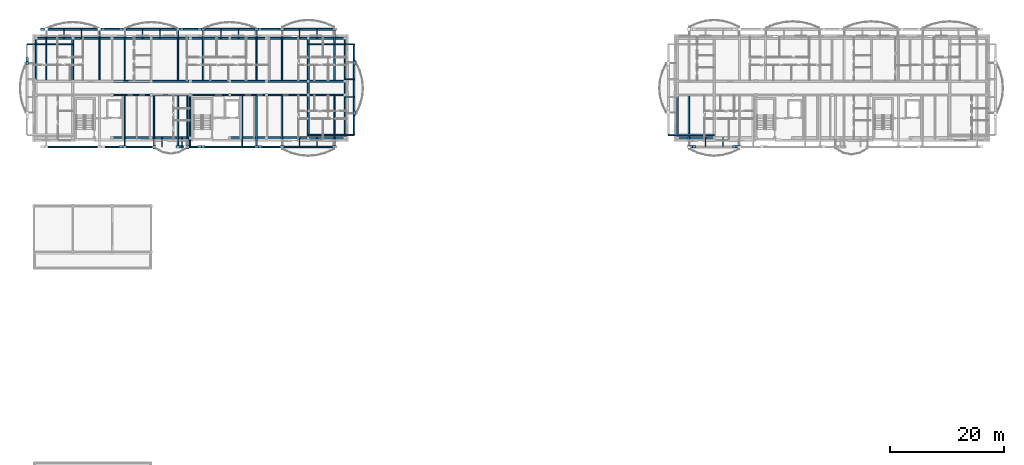
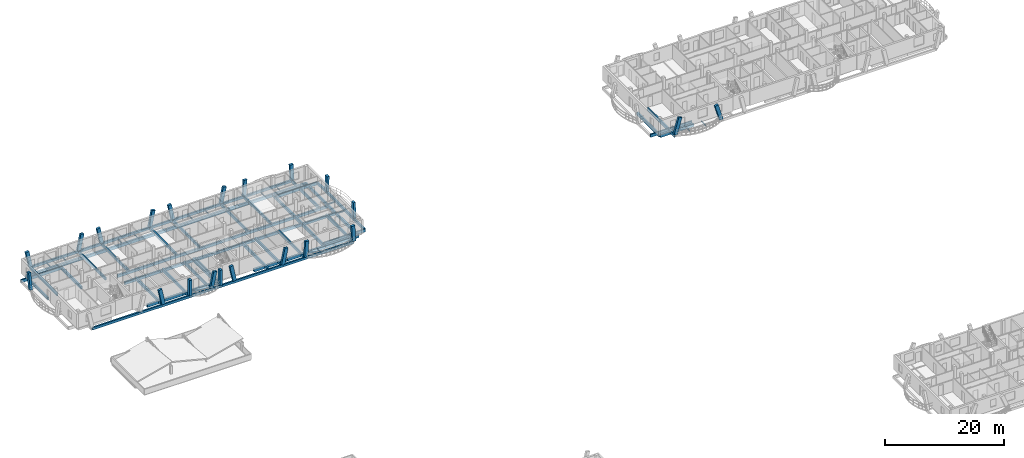
# One storey, part 6 of 50: 76 beams, 21 members.
"""IFC4 building model written with IfcOpenShell, lengths in metres."""

import ifcopenshell
import ifcopenshell.guid

model = None  # the IFC model being written
_history = None  # IfcOwnerHistory: only IFC2X3 demands one
_inside = {}  # id of a spatial element -> (the spatial element, [elements in it])
_under = {}  # id of a project, library or spatial element -> (it, [spatial elements below it])
_declared = {}  # id of a project -> (the project, [libraries it declares])
_typed = {}  # id of a type object -> (the type object, [elements of that type])
_made_of = {}  # id of a material, layer set ... -> (it, [elements and type objects made of it])


def new_model(schema):
    """Start an empty IFC model of exactly this schema.

    Asked for "IFC4X3", IfcOpenShell would pick the latest addendum, in which some entities
    have other attributes; the version numbers below select the first issue.
    IFC2X3 requires an IfcOwnerHistory on every rooted entity: one is made here for all.
    """
    global model, _history
    if schema == "IFC4X3":
        model = ifcopenshell.file(schema_version=(4, 3, 0, 0))
    else:
        model = ifcopenshell.file(schema=schema)
    _inside.clear()
    _under.clear()
    _declared.clear()
    _typed.clear()
    _made_of.clear()
    _history = None
    if model.schema == "IFC2X3":
        org = make("IfcOrganization", Name="unknown")
        user = make(
            "IfcPersonAndOrganization",
            ThePerson=make("IfcPerson", FamilyName="unknown"),
            TheOrganization=org,
        )
        app = make(
            "IfcApplication",
            ApplicationDeveloper=org,
            Version="unknown",
            ApplicationFullName="unknown",
            ApplicationIdentifier="unknown",
        )
        _history = make(
            "IfcOwnerHistory",
            OwningUser=user,
            OwningApplication=app,
            ChangeAction="ADDED",
            CreationDate=0,
        )
    return model


def make(cls, **values):
    """One entity of the class cls with the attributes given. An attribute that is None is left unset."""
    return model.create_entity(
        cls, **{name: value for name, value in values.items() if value is not None}
    )


def rooted(cls, **values):
    """An entity with a GlobalId (a new one), such as an element, a storey or a relation."""
    return make(cls, GlobalId=ifcopenshell.guid.new(), OwnerHistory=_history, **values)


def si_unit(unit_type, name, prefix=None):
    """IfcSIUnit, for example si_unit("LENGTHUNIT", "METRE", prefix="MILLI")."""
    return make("IfcSIUnit", UnitType=unit_type, Prefix=prefix, Name=name)


def assignment(units):
    """IfcUnitAssignment: the units of a project."""
    return None if units is None else make("IfcUnitAssignment", Units=units)


def point(xyz):
    """IfcCartesianPoint."""
    return None if xyz is None else make("IfcCartesianPoint", Coordinates=xyz)


def direction(xyz):
    """IfcDirection."""
    return None if xyz is None else make("IfcDirection", DirectionRatios=xyz)


def frame(location, z_axis=None, x_axis=None):
    """IfcAxis2Placement3D, a coordinate frame: its origin and axes. An axis left out is left unset."""
    return make(
        "IfcAxis2Placement3D",
        Location=point(location),
        Axis=direction(z_axis),
        RefDirection=direction(x_axis),
    )


def frame_2d(location, x_axis=None):
    """IfcAxis2Placement2D, a coordinate frame in the plane: its origin and x axis."""
    return make(
        "IfcAxis2Placement2D", Location=point(location), RefDirection=direction(x_axis)
    )


def origin():
    """The frame at (0, 0, 0) with its axes left unset."""
    return frame((0.0, 0.0, 0.0))


def origin_2d():
    """The frame at (0, 0) in the plane with its x axis left unset."""
    return frame_2d((0.0, 0.0))


def place(relative_to, where):
    """IfcLocalPlacement: puts the frame where relative to a parent placement (None: the world)."""
    return make(
        "IfcLocalPlacement", PlacementRelTo=relative_to, RelativePlacement=where
    )


def context(
    kind, dimensions, precision=None, world=None, true_north=None, identifier=None
):
    """IfcGeometricRepresentationContext, for example the 3D "Model" context."""
    return make(
        "IfcGeometricRepresentationContext",
        ContextIdentifier=identifier,
        ContextType=kind,
        CoordinateSpaceDimension=dimensions,
        Precision=precision,
        WorldCoordinateSystem=world,
        TrueNorth=true_north,
    )


def subcontext(parent, identifier, kind, view, scale=None):
    """IfcGeometricRepresentationSubContext, for example "Body" below "Model"."""
    return make(
        "IfcGeometricRepresentationSubContext",
        ContextIdentifier=identifier,
        ContextType=kind,
        ParentContext=parent,
        TargetScale=scale,
        TargetView=view,
    )


def project(units=None, contexts=None):
    """IfcProject with its units and contexts."""
    return rooted(
        "IfcProject",
        Name="project",
        RepresentationContexts=contexts,
        UnitsInContext=assignment(units),
    )


def spatial(cls, under=None, at=None, **own):
    """A site, building, storey or space (cls), placed at a placement, below another one or the project."""
    s = rooted(cls, ObjectPlacement=at, **own)
    if under is not None:
        _under.setdefault(under.id(), (under, []))[1].append(s)
    return s


def profile(cls, at=None, kind="AREA", **sizes):
    """A parametric profile (cls). Its sizes go by their IFC names, for example OverallWidth=200.0."""
    return make(cls, ProfileType=kind, Position=at, **sizes)


def rectangle(**sizes):
    """IfcRectangleProfileDef."""
    return profile("IfcRectangleProfileDef", **sizes)


def i_section(**sizes):
    """IfcIShapeProfileDef."""
    return profile("IfcIShapeProfileDef", **sizes)


def extrude(swept, where, along, depth):
    """IfcExtrudedAreaSolid: the profile swept, set in the frame where, extruded along a direction by depth."""
    return make(
        "IfcExtrudedAreaSolid",
        SweptArea=swept,
        Position=where,
        ExtrudedDirection=direction(along),
        Depth=depth,
    )


def shape(context_of_items, identifier, shape_type, items):
    """IfcShapeRepresentation: the items that make up one representation, for example the "Body"."""
    return make(
        "IfcShapeRepresentation",
        ContextOfItems=context_of_items,
        RepresentationIdentifier=identifier,
        RepresentationType=shape_type,
        Items=items,
    )


def material(Name=None, Category=None):
    """IfcMaterial."""
    return make("IfcMaterial", Name=Name, Category=Category)


def material_profile(
    of_material, cross_section, Name=None, Category=None, Priority=None
):
    """IfcMaterialProfile: a cross section and its material."""
    return make(
        "IfcMaterialProfile",
        Name=Name,
        Material=of_material,
        Profile=cross_section,
        Priority=Priority,
        Category=Category,
    )


def profile_set(profiles, Name=None, composite=None):
    """IfcMaterialProfileSet."""
    return make(
        "IfcMaterialProfileSet",
        Name=Name,
        MaterialProfiles=profiles,
        CompositeProfile=composite,
    )


def made_of(thing, what):
    """Note that an element or type object is made of a material, layer set ...; save() writes the relation."""
    if what is not None:
        _made_of.setdefault(what.id(), (what, []))[1].append(thing)
    return thing


def type_object(cls, material=None, **own):
    """A type object (cls), such as IfcWallType, which elements share."""
    return made_of(rooted(cls, **own), material)


def element(
    cls,
    number,
    at=None,
    inside=None,
    cuts=None,
    type_object=None,
    material=None,
    context=None,
    identifier="Body",
    shape_type=None,
    held_by="IfcProductDefinitionShape",
    body=None,
    shapes=None,
    **own,
):
    """One element of the class cls, such as IfcWall. Its Tag is "e" and its number.

    at: its placement. inside: the storey or other place that contains it. cuts: it is an
    opening in that element (IfcRelVoidsElement). A single representation is given by context,
    identifier, shape_type and body (its items); several are given by shapes. held_by: the class
    of the entity that holds the representations. save() writes the other relations.
    """
    e = rooted(cls, Tag="e%d" % number, ObjectPlacement=at, **own)
    if body is not None:
        shapes = [shape(context, identifier, shape_type, body)]
    if shapes is not None:
        e.Representation = make(held_by, Representations=shapes)
    if inside is not None:
        _inside.setdefault(inside.id(), (inside, []))[1].append(e)
    if cuts is not None:
        rooted(
            "IfcRelVoidsElement", RelatingBuildingElement=cuts, RelatedOpeningElement=e
        )
    if type_object is not None:
        _typed.setdefault(type_object.id(), (type_object, []))[1].append(e)
    return made_of(e, material)


def aggregate(whole, parts):
    """IfcRelAggregates: a whole, such as a stair, and the parts it consists of."""
    return rooted("IfcRelAggregates", RelatingObject=whole, RelatedObjects=parts)


def save(model, path):
    """Write the relations noted so far, then the file.

    IfcRelAggregates (storeys below a building ...), IfcRelContainedInSpatialStructure (elements
    in a storey), IfcRelDefinesByType, IfcRelAssociatesMaterial and IfcRelDeclares: one each for
    every whole, place, type object, material and project.
    """
    for whole, parts in _under.values():
        aggregate(whole, parts)
    for where, things in _inside.values():
        rooted(
            "IfcRelContainedInSpatialStructure",
            RelatedElements=things,
            RelatingStructure=where,
        )
    for kind, things in _typed.values():
        rooted("IfcRelDefinesByType", RelatedObjects=things, RelatingType=kind)
    for what, things in _made_of.values():
        rooted("IfcRelAssociatesMaterial", RelatedObjects=things, RelatingMaterial=what)
    for by, libraries in _declared.values():
        rooted("IfcRelDeclares", RelatingContext=by, RelatedDefinitions=libraries)
    model.write(path)


model = new_model("IFC4")

# Units and contexts
model_context = context("Model", 3, precision=1e-05, world=origin(), true_north=direction((0.0, 1.0)))
body_context = subcontext(model_context, "Body", "Model", "MODEL_VIEW")
ifc_project = project(units=[si_unit("LENGTHUNIT", "METRE"), si_unit("AREAUNIT", "SQUARE_METRE"), si_unit("VOLUMEUNIT", "CUBIC_METRE"), si_unit("PLANEANGLEUNIT", "RADIAN"), si_unit("MASSUNIT", "GRAM", prefix="KILO")], contexts=[model_context])

# Site, building, storey
site_placement = place(None, origin())
site = spatial("IfcSite", under=ifc_project, at=site_placement, CompositionType="ELEMENT")
building_placement = place(site_placement, origin())
building = spatial("IfcBuilding", under=site, at=building_placement, Name="Zavelmont Quarter", CompositionType="ELEMENT")
storey_placement = place(building_placement, frame((0.0, 0.0, 11.199951171875)))
storey = spatial("IfcBuildingStorey", under=building, at=storey_placement, Name="L03", CompositionType="ELEMENT", Elevation=11.199951171875)

# Beams
ifc_material_1 = material(Name="Concrete C35/45", Category="concrete")
ifc_material_profile_1 = material_profile(ifc_material_1, rectangle(XDim=0.35009765625, YDim=0.60009765625, at=origin_2d()), Name="RC350X600")
ifc_profile_set_1 = profile_set([ifc_material_profile_1], Name="Concrete C35/45")
beam_type_1 = type_object("IfcBeamType", Name="BM01", PredefinedType="SPANDREL", material=ifc_profile_set_1)
beam_1_placement = place(storey_placement, frame((13.800048828125, 98.0400390625, -0.56005859375), z_axis=(1.0, 0.0, 0.0), x_axis=(0.0, 1.0, 0.0)))
element("IfcBeam", 1, at=beam_1_placement, inside=storey, type_object=beam_type_1, Name="L03 beam BM01 3/P to 4/P", PredefinedType="SPANDREL", context=body_context, shape_type="SweptSolid", body=[
    extrude(rectangle(XDim=0.35009765625, YDim=0.60009765625, at=origin_2d()), origin(), (0.0, 0.0, 1.0), 6.89990234375),
])
beam_2_placement = place(storey_placement, frame((20.699951171875, 98.0400390625, -0.56005859375), z_axis=(1.0, 0.0, 0.0), x_axis=(0.0, 1.0, 0.0)))
element("IfcBeam", 2, at=beam_2_placement, inside=storey, type_object=beam_type_1, Name="L03 beam BM01 4/P to 5/P", PredefinedType="SPANDREL", context=body_context, shape_type="SweptSolid", body=[
    extrude(rectangle(XDim=0.35009765625, YDim=0.60009765625, at=origin_2d()), origin(), (0.0, 0.0, 1.0), 6.900146484375),
])
beam_3_placement = place(storey_placement, frame((34.5, 98.0400390625, -0.56005859375), z_axis=(1.0, 0.0, 0.0), x_axis=(0.0, 1.0, 0.0)))
element("IfcBeam", 3, at=beam_3_placement, inside=storey, type_object=beam_type_1, Name="L03 beam BM01 6/P to 7/P", PredefinedType="SPANDREL", context=body_context, shape_type="SweptSolid", body=[
    extrude(rectangle(XDim=0.35009765625, YDim=0.60009765625, at=origin_2d()), origin(), (0.0, 0.0, 1.0), 6.4599609375),
])
beam_4_placement = place(storey_placement, frame((40.9599609375, 98.0400390625, -0.56005859375), z_axis=(1.0, 0.0, 0.0), x_axis=(0.0, 1.0, 0.0)))
element("IfcBeam", 4, at=beam_4_placement, inside=storey, type_object=beam_type_1, Name="L03 beam BM01 7/P to 8/P", PredefinedType="SPANDREL", context=body_context, shape_type="SweptSolid", body=[
    extrude(rectangle(XDim=0.35009765625, YDim=0.60009765625, at=origin_2d()), origin(), (0.0, 0.0, 1.0), 7.340087890625),
])
for number, where, z_axis, x_axis, name in (
    (5, (48.300048828125, 98.0400390625, -0.56005859375), (1.0, 0.0, 0.0), (0.0, 1.0, 0.0), "L03 beam BM01 8/P to 9/P"),
    (6, (0.43994140625, 115.56005859375, -0.56005859375), (1.0, 0.0, 0.0), (0.0, 1.0, 0.0), "L03 beam BM01 1/S to 2/S"),
):
    element("IfcBeam", number, at=place(storey_placement, frame(where, z_axis=z_axis, x_axis=x_axis)), inside=storey, type_object=beam_type_1, Name=name, PredefinedType="SPANDREL", context=body_context, shape_type="SweptSolid", body=[
        extrude(rectangle(XDim=0.35009765625, YDim=0.60009765625, at=origin_2d()), origin(), (0.0, 0.0, 1.0), 6.4599609375),
    ])
beam_5_placement = place(storey_placement, frame((6.89990234375, 115.56005859375, -0.56005859375), z_axis=(1.0, 0.0, 0.0), x_axis=(0.0, 1.0, 0.0)))
element("IfcBeam", 7, at=beam_5_placement, inside=storey, type_object=beam_type_1, Name="L03 beam BM01 2/S to 3/S", PredefinedType="SPANDREL", context=body_context, shape_type="SweptSolid", body=[
    extrude(rectangle(XDim=0.35009765625, YDim=0.60009765625, at=origin_2d()), origin(), (0.0, 0.0, 1.0), 6.900146484375),
])
beam_6_placement = place(storey_placement, frame((13.800048828125, 115.56005859375, -0.56005859375), z_axis=(1.0, 0.0, 0.0), x_axis=(0.0, 1.0, 0.0)))
element("IfcBeam", 8, at=beam_6_placement, inside=storey, type_object=beam_type_1, Name="L03 beam BM01 3/S to 4/S", PredefinedType="SPANDREL", context=body_context, shape_type="SweptSolid", body=[
    extrude(rectangle(XDim=0.35009765625, YDim=0.60009765625, at=origin_2d()), origin(), (0.0, 0.0, 1.0), 6.89990234375),
])
beam_7_placement = place(storey_placement, frame((20.699951171875, 115.56005859375, -0.56005859375), z_axis=(1.0, 0.0, 0.0), x_axis=(0.0, 1.0, 0.0)))
element("IfcBeam", 9, at=beam_7_placement, inside=storey, type_object=beam_type_1, Name="L03 beam BM01 4/S to 5/S", PredefinedType="SPANDREL", context=body_context, shape_type="SweptSolid", body=[
    extrude(rectangle(XDim=0.35009765625, YDim=0.60009765625, at=origin_2d()), origin(), (0.0, 0.0, 1.0), 6.900146484375),
])
beam_8_placement = place(storey_placement, frame((27.60009765625, 115.56005859375, -0.56005859375), z_axis=(1.0, 0.0, 0.0), x_axis=(0.0, 1.0, 0.0)))
element("IfcBeam", 10, at=beam_8_placement, inside=storey, type_object=beam_type_1, Name="L03 beam BM01 5/S to 6/S", PredefinedType="SPANDREL", context=body_context, shape_type="SweptSolid", body=[
    extrude(rectangle(XDim=0.35009765625, YDim=0.60009765625, at=origin_2d()), origin(), (0.0, 0.0, 1.0), 6.89990234375),
])
beam_9_placement = place(storey_placement, frame((34.5, 115.56005859375, -0.56005859375), z_axis=(1.0, 0.0, 0.0), x_axis=(0.0, 1.0, 0.0)))
element("IfcBeam", 11, at=beam_9_placement, inside=storey, type_object=beam_type_1, Name="L03 beam BM01 6/S to 7/S", PredefinedType="SPANDREL", context=body_context, shape_type="SweptSolid", body=[
    extrude(rectangle(XDim=0.35009765625, YDim=0.60009765625, at=origin_2d()), origin(), (0.0, 0.0, 1.0), 6.4599609375),
])
beam_10_placement = place(storey_placement, frame((40.9599609375, 115.56005859375, -0.56005859375), z_axis=(1.0, 0.0, 0.0), x_axis=(0.0, 1.0, 0.0)))
element("IfcBeam", 12, at=beam_10_placement, inside=storey, type_object=beam_type_1, Name="L03 beam BM01 7/S to 8/S", PredefinedType="SPANDREL", context=body_context, shape_type="SweptSolid", body=[
    extrude(rectangle(XDim=0.35009765625, YDim=0.60009765625, at=origin_2d()), origin(), (0.0, 0.0, 1.0), 7.340087890625),
])
for number, where, z_axis, x_axis, name in (
    (13, (48.300048828125, 115.56005859375, -0.56005859375), (1.0, 0.0, 0.0), (0.0, 1.0, 0.0), "L03 beam BM01 8/S to 9/S"),
    (14, (113.239990234375, 98.0400390625, -0.56005859375), (1.0, 0.0, 0.0), (0.0, 1.0, 0.0), "L03 beam BM01 17/P to 18/P"),
):
    element("IfcBeam", number, at=place(storey_placement, frame(where, z_axis=z_axis, x_axis=x_axis)), inside=storey, type_object=beam_type_1, Name=name, PredefinedType="SPANDREL", context=body_context, shape_type="SweptSolid", body=[
        extrude(rectangle(XDim=0.35009765625, YDim=0.60009765625, at=origin_2d()), origin(), (0.0, 0.0, 1.0), 6.4599609375),
    ])
ifc_material_profile_2 = material_profile(ifc_material_1, rectangle(XDim=0.300048828125, YDim=0.550048828125, at=origin_2d()), Name="RC300X550")
ifc_profile_set_2 = profile_set([ifc_material_profile_2], Name="Concrete C35/45")
beam_type_2 = type_object("IfcBeamType", Name="BM02", PredefinedType="SPANDREL", material=ifc_profile_set_2)
beam_11_placement = place(storey_placement, frame((13.800048828125, 105.60009765625, -0.534912109375), z_axis=(1.0, 0.0, 0.0), x_axis=(0.0, 1.0, 0.0)))
element("IfcBeam", 15, at=beam_11_placement, inside=storey, type_object=beam_type_2, Name="L03 beam BM02 3/Q to 4/Q", PredefinedType="SPANDREL", context=body_context, shape_type="SweptSolid", body=[
    extrude(rectangle(XDim=0.300048828125, YDim=0.550048828125, at=origin_2d()), origin(), (0.0, 0.0, 1.0), 6.89990234375),
])
beam_12_placement = place(storey_placement, frame((20.699951171875, 105.60009765625, -0.534912109375), z_axis=(1.0, 0.0, 0.0), x_axis=(0.0, 1.0, 0.0)))
element("IfcBeam", 16, at=beam_12_placement, inside=storey, type_object=beam_type_2, Name="L03 beam BM02 4/Q to 5/Q", PredefinedType="SPANDREL", context=body_context, shape_type="SweptSolid", body=[
    extrude(rectangle(XDim=0.300048828125, YDim=0.550048828125, at=origin_2d()), origin(), (0.0, 0.0, 1.0), 6.900146484375),
])
beam_13_placement = place(storey_placement, frame((27.60009765625, 105.60009765625, -0.534912109375), z_axis=(1.0, 0.0, 0.0), x_axis=(0.0, 1.0, 0.0)))
element("IfcBeam", 17, at=beam_13_placement, inside=storey, type_object=beam_type_2, Name="L03 beam BM02 5/Q to 6/Q", PredefinedType="SPANDREL", context=body_context, shape_type="SweptSolid", body=[
    extrude(rectangle(XDim=0.300048828125, YDim=0.550048828125, at=origin_2d()), origin(), (0.0, 0.0, 1.0), 6.89990234375),
])
beam_14_placement = place(storey_placement, frame((34.5, 105.60009765625, -0.534912109375), z_axis=(1.0, 0.0, 0.0), x_axis=(0.0, 1.0, 0.0)))
element("IfcBeam", 18, at=beam_14_placement, inside=storey, type_object=beam_type_2, Name="L03 beam BM02 6/Q to 7/Q", PredefinedType="SPANDREL", context=body_context, shape_type="SweptSolid", body=[
    extrude(rectangle(XDim=0.300048828125, YDim=0.550048828125, at=origin_2d()), origin(), (0.0, 0.0, 1.0), 6.4599609375),
])
beam_15_placement = place(storey_placement, frame((40.9599609375, 105.60009765625, -0.534912109375), z_axis=(1.0, 0.0, 0.0), x_axis=(0.0, 1.0, 0.0)))
element("IfcBeam", 19, at=beam_15_placement, inside=storey, type_object=beam_type_2, Name="L03 beam BM02 7/Q to 8/Q", PredefinedType="SPANDREL", context=body_context, shape_type="SweptSolid", body=[
    extrude(rectangle(XDim=0.300048828125, YDim=0.550048828125, at=origin_2d()), origin(), (0.0, 0.0, 1.0), 7.340087890625),
])
beam_16_placement = place(storey_placement, frame((48.300048828125, 105.60009765625, -0.534912109375), z_axis=(1.0, 0.0, 0.0), x_axis=(0.0, 1.0, 0.0)))
element("IfcBeam", 20, at=beam_16_placement, inside=storey, type_object=beam_type_2, Name="L03 beam BM02 8/Q to 9/Q", PredefinedType="SPANDREL", context=body_context, shape_type="SweptSolid", body=[
    extrude(rectangle(XDim=0.300048828125, YDim=0.550048828125, at=origin_2d()), origin(), (0.0, 0.0, 1.0), 6.4599609375),
])
beam_17_placement = place(storey_placement, frame((13.800048828125, 108.0, -0.534912109375), z_axis=(1.0, 0.0, 0.0), x_axis=(0.0, 1.0, 0.0)))
element("IfcBeam", 21, at=beam_17_placement, inside=storey, type_object=beam_type_2, Name="L03 beam BM02 3/R to 4/R", PredefinedType="SPANDREL", context=body_context, shape_type="SweptSolid", body=[
    extrude(rectangle(XDim=0.300048828125, YDim=0.550048828125, at=origin_2d()), origin(), (0.0, 0.0, 1.0), 6.89990234375),
])
beam_18_placement = place(storey_placement, frame((20.699951171875, 108.0, -0.534912109375), z_axis=(1.0, 0.0, 0.0), x_axis=(0.0, 1.0, 0.0)))
element("IfcBeam", 22, at=beam_18_placement, inside=storey, type_object=beam_type_2, Name="L03 beam BM02 4/R to 5/R", PredefinedType="SPANDREL", context=body_context, shape_type="SweptSolid", body=[
    extrude(rectangle(XDim=0.300048828125, YDim=0.550048828125, at=origin_2d()), origin(), (0.0, 0.0, 1.0), 6.900146484375),
])
beam_19_placement = place(storey_placement, frame((27.60009765625, 108.0, -0.534912109375), z_axis=(1.0, 0.0, 0.0), x_axis=(0.0, 1.0, 0.0)))
element("IfcBeam", 23, at=beam_19_placement, inside=storey, type_object=beam_type_2, Name="L03 beam BM02 5/R to 6/R", PredefinedType="SPANDREL", context=body_context, shape_type="SweptSolid", body=[
    extrude(rectangle(XDim=0.300048828125, YDim=0.550048828125, at=origin_2d()), origin(), (0.0, 0.0, 1.0), 6.89990234375),
])
beam_20_placement = place(storey_placement, frame((34.5, 108.0, -0.534912109375), z_axis=(1.0, 0.0, 0.0), x_axis=(0.0, 1.0, 0.0)))
element("IfcBeam", 24, at=beam_20_placement, inside=storey, type_object=beam_type_2, Name="L03 beam BM02 6/R to 7/R", PredefinedType="SPANDREL", context=body_context, shape_type="SweptSolid", body=[
    extrude(rectangle(XDim=0.300048828125, YDim=0.550048828125, at=origin_2d()), origin(), (0.0, 0.0, 1.0), 6.4599609375),
])
beam_21_placement = place(storey_placement, frame((40.9599609375, 108.0, -0.534912109375), z_axis=(1.0, 0.0, 0.0), x_axis=(0.0, 1.0, 0.0)))
element("IfcBeam", 25, at=beam_21_placement, inside=storey, type_object=beam_type_2, Name="L03 beam BM02 7/R to 8/R", PredefinedType="SPANDREL", context=body_context, shape_type="SweptSolid", body=[
    extrude(rectangle(XDim=0.300048828125, YDim=0.550048828125, at=origin_2d()), origin(), (0.0, 0.0, 1.0), 7.340087890625),
])
beam_22_placement = place(storey_placement, frame((48.300048828125, 108.0, -0.534912109375), z_axis=(1.0, 0.0, 0.0), x_axis=(0.0, 1.0, 0.0)))
element("IfcBeam", 26, at=beam_22_placement, inside=storey, type_object=beam_type_2, Name="L03 beam BM02 8/R to 9/R", PredefinedType="SPANDREL", context=body_context, shape_type="SweptSolid", body=[
    extrude(rectangle(XDim=0.300048828125, YDim=0.550048828125, at=origin_2d()), origin(), (0.0, 0.0, 1.0), 6.4599609375),
])
for number, where, z_axis, x_axis, name in (
    (27, (0.43994140625, 108.0, -0.534912109375), (0.0, 1.0, 0.0), (-1.0, 0.0, 0.0), "L03 beam BM02 1/R to 1/S"),
    (28, (6.89990234375, 108.0, -0.534912109375), (0.0, 1.0, 0.0), (-1.0, 0.0, 0.0), "L03 beam BM02 2/R to 2/S"),
    (29, (48.300048828125, 98.0400390625, -0.534912109375), (0.0, 1.0, 0.0), (-1.0, 0.0, 0.0), "L03 beam BM02 8/P to 8/Q"),
):
    element("IfcBeam", number, at=place(storey_placement, frame(where, z_axis=z_axis, x_axis=x_axis)), inside=storey, type_object=beam_type_2, Name=name, PredefinedType="SPANDREL", context=body_context, shape_type="SweptSolid", body=[
        extrude(rectangle(XDim=0.300048828125, YDim=0.550048828125, at=origin_2d()), origin(), (0.0, 0.0, 1.0), 7.56005859375),
    ])
beam_23_placement = place(storey_placement, frame((48.300048828125, 105.60009765625, -0.534912109375), z_axis=(0.0, 1.0, 0.0), x_axis=(-1.0, 0.0, 0.0)))
element("IfcBeam", 30, at=beam_23_placement, inside=storey, type_object=beam_type_2, Name="L03 beam BM02 8/Q to 8/R", PredefinedType="SPANDREL", context=body_context, shape_type="SweptSolid", body=[
    extrude(rectangle(XDim=0.300048828125, YDim=0.550048828125, at=origin_2d()), origin(), (0.0, 0.0, 1.0), 2.39990234375),
])
for number, where, z_axis, x_axis, name in (
    (31, (48.300048828125, 108.0, -0.534912109375), (0.0, 1.0, 0.0), (-1.0, 0.0, 0.0), "L03 beam BM02 8/R to 8/S"),
    (32, (54.760009765625, 98.0400390625, -0.534912109375), (0.0, 1.0, 0.0), (-1.0, 0.0, 0.0), "L03 beam BM02 9/P to 9/Q"),
):
    element("IfcBeam", number, at=place(storey_placement, frame(where, z_axis=z_axis, x_axis=x_axis)), inside=storey, type_object=beam_type_2, Name=name, PredefinedType="SPANDREL", context=body_context, shape_type="SweptSolid", body=[
        extrude(rectangle(XDim=0.300048828125, YDim=0.550048828125, at=origin_2d()), origin(), (0.0, 0.0, 1.0), 7.56005859375),
    ])
beam_24_placement = place(storey_placement, frame((54.760009765625, 105.60009765625, -0.534912109375), z_axis=(0.0, 1.0, 0.0), x_axis=(-1.0, 0.0, 0.0)))
element("IfcBeam", 33, at=beam_24_placement, inside=storey, type_object=beam_type_2, Name="L03 beam BM02 9/Q to 9/R", PredefinedType="SPANDREL", context=body_context, shape_type="SweptSolid", body=[
    extrude(rectangle(XDim=0.300048828125, YDim=0.550048828125, at=origin_2d()), origin(), (0.0, 0.0, 1.0), 2.39990234375),
])
for number, where, z_axis, x_axis, name in (
    (34, (54.760009765625, 108.0, -0.534912109375), (0.0, 1.0, 0.0), (-1.0, 0.0, 0.0), "L03 beam BM02 9/R to 9/S"),
    (35, (113.239990234375, 98.0400390625, -0.534912109375), (0.0, 1.0, 0.0), (-1.0, 0.0, 0.0), "L03 beam BM02 17/P to 17/Q"),
):
    element("IfcBeam", number, at=place(storey_placement, frame(where, z_axis=z_axis, x_axis=x_axis)), inside=storey, type_object=beam_type_2, Name=name, PredefinedType="SPANDREL", context=body_context, shape_type="SweptSolid", body=[
        extrude(rectangle(XDim=0.300048828125, YDim=0.550048828125, at=origin_2d()), origin(), (0.0, 0.0, 1.0), 7.56005859375),
    ])
ifc_material_profile_3 = material_profile(ifc_material_1, rectangle(XDim=0.300048828125, YDim=0.5, at=origin_2d()), Name="RC300X500")
ifc_profile_set_3 = profile_set([ifc_material_profile_3], Name="Concrete C35/45")
beam_type_3 = type_object("IfcBeamType", Name="BM03", PredefinedType="BEAM", material=ifc_profile_set_3)
for number, where, z_axis, x_axis, name in (
    (36, (2.22705078125, 117.14990234375, -0.25), (1.0, 0.0, 0.0), (0.0, 1.0, 0.0), "L03 beam BM03 1/S to 9/S"),
    (37, (2.22705078125, 96.449951171875, -0.25), (1.0, 0.0, 0.0), (0.0, 1.0, 0.0), "L03 beam BM03 1/P to 9/P"),
):
    element("IfcBeam", number, at=place(storey_placement, frame(where, z_axis=z_axis, x_axis=x_axis)), inside=storey, type_object=beam_type_3, Name=name, PredefinedType="BEAM", context=body_context, shape_type="SweptSolid", body=[
        extrude(rectangle(XDim=0.300048828125, YDim=0.5, at=origin_2d()), origin(), (0.0, 0.0, 1.0), 50.716064453125),
    ])
beam_25_placement = place(storey_placement, frame((56.35009765625, 98.550048828125, -0.25), z_axis=(0.0, 1.0, 0.0), x_axis=(-1.0, 0.0, 0.0)))
element("IfcBeam", 38, at=beam_25_placement, inside=storey, type_object=beam_type_3, Name="L03 beam BM03 9/P to 9/S", PredefinedType="BEAM", context=body_context, shape_type="SweptSolid", body=[
    extrude(rectangle(XDim=0.300048828125, YDim=0.5, at=origin_2d()), origin(), (0.0, 0.0, 1.0), 15.949951171875),
])
ifc_material_2 = material(Name="Steel S355", Category="steel")
ifc_material_profile_4 = material_profile(ifc_material_2, i_section(OverallWidth=0.110107421875, OverallDepth=0.219970703125, WebThickness=0.005859375, FlangeThickness=0.00927734375, at=origin_2d()), Name="IPE 220")
ifc_profile_set_4 = profile_set([ifc_material_profile_4], Name="Steel S355")
beam_type_4 = type_object("IfcBeamType", Name="BM15", PredefinedType="JOIST", material=ifc_profile_set_4)
for number, where, z_axis, x_axis, name in (
    (39, (5.35009765625, 115.56005859375, -0.3720703125), (0.0, 1.0, 0.0), (-1.0, 0.0, 0.0), "L03 beam BM15 2/S to 2/S"),
    (40, (8.449951171875, 115.56005859375, -0.3720703125), (0.0, 1.0, 0.0), (-1.0, 0.0, 0.0), "L03 beam BM15 2/S to 2/S"),
    (41, (19.14990234375, 115.56005859375, -0.3720703125), (0.0, 1.0, 0.0), (-1.0, 0.0, 0.0), "L03 beam BM15 4/S to 4/S"),
    (42, (22.25, 115.56005859375, -0.3720703125), (0.0, 1.0, 0.0), (-1.0, 0.0, 0.0), "L03 beam BM15 4/S to 4/S"),
    (43, (32.949951171875, 115.56005859375, -0.3720703125), (0.0, 1.0, 0.0), (-1.0, 0.0, 0.0), "L03 beam BM15 6/S to 6/S"),
    (44, (36.050048828125, 115.56005859375, -0.3720703125), (0.0, 1.0, 0.0), (-1.0, 0.0, 0.0), "L03 beam BM15 6/S to 6/S"),
    (45, (46.75, 115.56005859375, -0.3720703125), (0.0, 1.0, 0.0), (-1.0, 0.0, 0.0), "L03 beam BM15 8/S to 8/S"),
    (46, (49.85009765625, 115.56005859375, -0.3720703125), (0.0, 1.0, 0.0), (-1.0, 0.0, 0.0), "L03 beam BM15 8/S to 8/S"),
):
    element("IfcBeam", number, at=place(storey_placement, frame(where, z_axis=z_axis, x_axis=x_axis)), inside=storey, type_object=beam_type_4, Name=name, PredefinedType="JOIST", context=body_context, shape_type="SweptSolid", body=[
        extrude(i_section(OverallWidth=0.110107421875, OverallDepth=0.219970703125, WebThickness=0.005859375, FlangeThickness=0.00927734375, at=origin_2d()), origin(), (0.0, 0.0, 1.0), 1.58984375),
    ])
for number, where, z_axis, x_axis, name in (
    (47, (54.760009765625, 105.25, -0.3720703125), (1.0, 0.0, 0.0), (0.0, 1.0, 0.0), "L03 beam BM15 9/Q to 9/Q"),
    (48, (54.760009765625, 108.35009765625, -0.3720703125), (1.0, 0.0, 0.0), (0.0, 1.0, 0.0), "L03 beam BM15 9/R to 9/R"),
    (49, (46.75, 98.0400390625, -0.3720703125), (0.0, -1.0, 0.0), (1.0, 0.0, 0.0), "L03 beam BM15 8/P to 8/P"),
    (50, (49.85009765625, 98.0400390625, -0.3720703125), (0.0, -1.0, 0.0), (1.0, 0.0, 0.0), "L03 beam BM15 8/P to 8/P"),
    (51, (22.60009765625, 98.0400390625, -0.3720703125), (0.0, -1.0, 0.0), (1.0, 0.0, 0.0), "L03 beam BM15 4/P to 4/P"),
    (52, (26.1201171875, 98.0400390625, -0.3720703125), (0.0, -1.0, 0.0), (1.0, 0.0, 0.0), "L03 beam BM15 5/P to 5/P"),
    (53, (118.14990234375, 98.0400390625, -0.3720703125), (0.0, -1.0, 0.0), (1.0, 0.0, 0.0), "L03 beam BM15 18/P to 18/P"),
    (54, (121.25, 98.0400390625, -0.3720703125), (0.0, -1.0, 0.0), (1.0, 0.0, 0.0), "L03 beam BM15 18/P to 18/P"),
):
    element("IfcBeam", number, at=place(storey_placement, frame(where, z_axis=z_axis, x_axis=x_axis)), inside=storey, type_object=beam_type_4, Name=name, PredefinedType="JOIST", context=body_context, shape_type="SweptSolid", body=[
        extrude(i_section(OverallWidth=0.110107421875, OverallDepth=0.219970703125, WebThickness=0.005859375, FlangeThickness=0.00927734375, at=origin_2d()), origin(), (0.0, 0.0, 1.0), 1.590087890625),
    ])
ifc_material_3 = material(Name="Concrete C40/50", Category="concrete")
ifc_material_profile_5 = material_profile(ifc_material_3, rectangle(XDim=0.25, YDim=0.60009765625, at=origin_2d()), Name="RC250X600")
ifc_profile_set_5 = profile_set([ifc_material_profile_5], Name="Concrete C40/50")
beam_type_5 = type_object("IfcBeamType", Name="BM18", PredefinedType="BEAM", material=ifc_profile_set_5)
for number, where, z_axis, x_axis, name in (
    (55, (2.227294921875, 108.0, -0.300048828125), (0.0, 1.0, 0.0), (-1.0, 0.0, 0.0), "L03 beam BM18 1/R to 1/S"),
    (56, (11.57275390625, 108.0, -0.300048828125), (0.0, 1.0, 0.0), (-1.0, 0.0, 0.0), "L03 beam BM18 3/R to 3/S"),
    (57, (16.02734375, 108.0, -0.300048828125), (0.0, 1.0, 0.0), (-1.0, 0.0, 0.0), "L03 beam BM18 3/R to 3/S"),
    (58, (25.372802734375, 108.0, -0.300048828125), (0.0, 1.0, 0.0), (-1.0, 0.0, 0.0), "L03 beam BM18 5/R to 5/S"),
    (59, (29.827392578125, 108.0, -0.300048828125), (0.0, 1.0, 0.0), (-1.0, 0.0, 0.0), "L03 beam BM18 5/R to 5/S"),
    (60, (39.172607421875, 108.0, -0.300048828125), (0.0, 1.0, 0.0), (-1.0, 0.0, 0.0), "L03 beam BM18 7/R to 7/S"),
    (61, (43.656982421875, 108.0, -0.300048828125), (0.0, 1.0, 0.0), (-1.0, 0.0, 0.0), "L03 beam BM18 7/R to 7/S"),
    (62, (52.943115234375, 108.0, -0.300048828125), (0.0, 1.0, 0.0), (-1.0, 0.0, 0.0), "L03 beam BM18 9/R to 9/S"),
):
    element("IfcBeam", number, at=place(storey_placement, frame(where, z_axis=z_axis, x_axis=x_axis)), inside=storey, type_object=beam_type_5, Name=name, PredefinedType="BEAM", context=body_context, shape_type="SweptSolid", body=[
        extrude(rectangle(XDim=0.25, YDim=0.60009765625, at=origin_2d()), origin(), (0.0, 0.0, 1.0), 9.14990234375),
    ])
for number, where, z_axis, x_axis, name in (
    (63, (16.02734375, 105.60009765625, -0.300048828125), (0.0, -1.0, 0.0), (1.0, 0.0, 0.0), "L03 beam BM18 3/Q to 3/P"),
    (64, (25.372802734375, 105.60009765625, -0.300048828125), (0.0, -1.0, 0.0), (1.0, 0.0, 0.0), "L03 beam BM18 5/Q to 5/P"),
    (65, (27.5, 105.60009765625, -0.300048828125), (0.0, -1.0, 0.0), (1.0, 0.0, 0.0), "L03 beam BM18 5/Q to 5/P"),
    (66, (36.625, 105.60009765625, -0.300048828125), (0.0, -1.0, 0.0), (1.0, 0.0, 0.0), "L03 beam BM18 6/Q to 6/P"),
    (67, (39.172607421875, 105.60009765625, -0.300048828125), (0.0, -1.0, 0.0), (1.0, 0.0, 0.0), "L03 beam BM18 7/Q to 7/P"),
    (68, (43.656982421875, 105.60009765625, -0.300048828125), (0.0, -1.0, 0.0), (1.0, 0.0, 0.0), "L03 beam BM18 7/Q to 7/P"),
    (69, (52.943115234375, 105.60009765625, -0.300048828125), (0.0, -1.0, 0.0), (1.0, 0.0, 0.0), "L03 beam BM18 9/Q to 9/P"),
    (70, (21.199951171875, 105.60009765625, -0.300048828125), (0.0, -1.0, 0.0), (1.0, 0.0, 0.0), "L03 beam BM18 4/Q to 4/P"),
    (71, (27.10009765625, 105.60009765625, -0.300048828125), (0.0, -1.0, 0.0), (1.0, 0.0, 0.0), "L03 beam BM18 5/Q to 5/P"),
):
    element("IfcBeam", number, at=place(storey_placement, frame(where, z_axis=z_axis, x_axis=x_axis)), inside=storey, type_object=beam_type_5, Name=name, PredefinedType="BEAM", context=body_context, shape_type="SweptSolid", body=[
        extrude(rectangle(XDim=0.25, YDim=0.60009765625, at=origin_2d()), origin(), (0.0, 0.0, 1.0), 9.150146484375),
    ])
beam_26_placement = place(storey_placement, frame((6.89990234375, 114.5, -0.300048828125), z_axis=(-1.0, 0.0, 0.0), x_axis=(0.0, -1.0, 0.0)))
element("IfcBeam", 72, at=beam_26_placement, inside=storey, type_object=beam_type_5, Name="L03 beam BM18 2/S to 1/S", PredefinedType="BEAM", context=body_context, shape_type="SweptSolid", body=[
    extrude(rectangle(XDim=0.25, YDim=0.60009765625, at=origin_2d()), origin(), (0.0, 0.0, 1.0), 8.0498046875),
])
for number, where, z_axis, x_axis, name in (
    (73, (48.300048828125, 98.550048828125, -0.300048828125), (1.0, 0.0, 0.0), (0.0, 1.0, 0.0), "L03 beam BM18 8/P to 9/P"),
    (74, (48.300048828125, 114.5, -0.300048828125), (1.0, 0.0, 0.0), (0.0, 1.0, 0.0), "L03 beam BM18 8/S to 9/S"),
):
    element("IfcBeam", number, at=place(storey_placement, frame(where, z_axis=z_axis, x_axis=x_axis)), inside=storey, type_object=beam_type_5, Name=name, PredefinedType="BEAM", context=body_context, shape_type="SweptSolid", body=[
        extrude(rectangle(XDim=0.25, YDim=0.60009765625, at=origin_2d()), origin(), (0.0, 0.0, 1.0), 8.050048828125),
    ])
beam_27_placement = place(storey_placement, frame((115.2470703125, 105.60009765625, -0.300048828125), z_axis=(0.0, -1.0, 0.0), x_axis=(1.0, 0.0, 0.0)))
element("IfcBeam", 75, at=beam_27_placement, inside=storey, type_object=beam_type_5, Name="L03 beam BM18 17/Q to 17/P", PredefinedType="BEAM", context=body_context, shape_type="SweptSolid", body=[
    extrude(rectangle(XDim=0.25, YDim=0.60009765625, at=origin_2d()), origin(), (0.0, 0.0, 1.0), 9.150146484375),
])
beam_28_placement = place(storey_placement, frame((119.699951171875, 98.550048828125, -0.300048828125), z_axis=(-1.0, 0.0, 0.0), x_axis=(0.0, -1.0, 0.0)))
element("IfcBeam", 76, at=beam_28_placement, inside=storey, type_object=beam_type_5, Name="L03 beam BM18 18/P to 17/P", PredefinedType="BEAM", context=body_context, shape_type="SweptSolid", body=[
    extrude(rectangle(XDim=0.25, YDim=0.60009765625, at=origin_2d()), origin(), (0.0, 0.0, 1.0), 8.050048828125),
])

# Members
ifc_material_4 = material(Name="White architectural precast concrete C40/50", Category="concrete")
ifc_material_profile_6 = material_profile(ifc_material_4, rectangle(XDim=0.43994140625, YDim=0.659912109375, at=origin_2d()), Name="PCR320X480")
ifc_profile_set_6 = profile_set([ifc_material_profile_6], Name="White architectural precast concrete C40/50")
member_type = type_object("IfcMemberType", Name="VR01M", PredefinedType="CHORD", material=ifc_profile_set_6)
member_1_placement = place(storey_placement, frame((2.227294921875, 117.14990234375, 0.0), z_axis=(-0.202620427255, 0.0, 0.979257352517), x_axis=(0.0, -1.0, 0.0)))
element("IfcMember", 77, at=member_1_placement, inside=storey, type_object=member_type, Name="L03 member VR01M 1/S to 1/S", PredefinedType="CHORD", context=body_context, shape_type="SweptSolid", body=[
    extrude(rectangle(XDim=0.43994140625, YDim=0.659912109375, at=origin_2d()), origin(), (0.0, 0.0, 1.0), 3.267822265625),
])
member_2_placement = place(storey_placement, frame((11.57275390625, 117.14990234375, 0.0), z_axis=(0.202548780407, 0.0, 0.979272174401), x_axis=(0.0, 1.0, 0.0)))
element("IfcMember", 78, at=member_2_placement, inside=storey, type_object=member_type, Name="L03 member VR01M 3/S to 3/S", PredefinedType="CHORD", context=body_context, shape_type="SweptSolid", body=[
    extrude(rectangle(XDim=0.43994140625, YDim=0.659912109375, at=origin_2d()), origin(), (0.0, 0.0, 1.0), 3.267578125),
])
member_3_placement = place(storey_placement, frame((16.02734375, 117.14990234375, 0.0), z_axis=(-0.202620427255, 0.0, 0.979257352517), x_axis=(0.0, -1.0, 0.0)))
element("IfcMember", 79, at=member_3_placement, inside=storey, type_object=member_type, Name="L03 member VR01M 3/S to 3/S", PredefinedType="CHORD", context=body_context, shape_type="SweptSolid", body=[
    extrude(rectangle(XDim=0.43994140625, YDim=0.659912109375, at=origin_2d()), origin(), (0.0, 0.0, 1.0), 3.267822265625),
])
member_4_placement = place(storey_placement, frame((25.372802734375, 117.14990234375, 0.0), z_axis=(0.202548780407, 0.0, 0.979272174401), x_axis=(0.0, 1.0, 0.0)))
element("IfcMember", 80, at=member_4_placement, inside=storey, type_object=member_type, Name="L03 member VR01M 5/S to 5/S", PredefinedType="CHORD", context=body_context, shape_type="SweptSolid", body=[
    extrude(rectangle(XDim=0.43994140625, YDim=0.659912109375, at=origin_2d()), origin(), (0.0, 0.0, 1.0), 3.267578125),
])
for number, where, z_axis, x_axis, name in (
    (81, (29.827392578125, 117.14990234375, 0.0), (-0.202620427255, 0.0, 0.979257352517), (0.0, -1.0, 0.0), "L03 member VR01M 5/S to 5/S"),
    (82, (39.172607421875, 117.14990234375, 0.0), (0.202620427255, 0.0, 0.979257352517), (0.0, 1.0, 0.0), "L03 member VR01M 7/S to 7/S"),
):
    element("IfcMember", number, at=place(storey_placement, frame(where, z_axis=z_axis, x_axis=x_axis)), inside=storey, type_object=member_type, Name=name, PredefinedType="CHORD", context=body_context, shape_type="SweptSolid", body=[
        extrude(rectangle(XDim=0.43994140625, YDim=0.659912109375, at=origin_2d()), origin(), (0.0, 0.0, 1.0), 3.267822265625),
    ])
for number, where, z_axis, x_axis, name in (
    (83, (43.656982421875, 117.14990234375, 0.0), (0.053330574398, 0.0, 0.998576912328), (0.0, 1.0, 0.0), "L03 member VR01M 7/S to 7/S"),
    (84, (52.943115234375, 117.14990234375, 0.0), (-0.053406543783, 0.0, 0.998572852165), (0.0, -1.0, 0.0), "L03 member VR01M 9/S to 9/S"),
):
    element("IfcMember", number, at=place(storey_placement, frame(where, z_axis=z_axis, x_axis=x_axis)), inside=storey, type_object=member_type, Name=name, PredefinedType="CHORD", context=body_context, shape_type="SweptSolid", body=[
        extrude(rectangle(XDim=0.43994140625, YDim=0.659912109375, at=origin_2d()), origin(), (0.0, 0.0, 1.0), 3.20458984375),
    ])
member_5_placement = place(storey_placement, frame((16.02734375, 96.449951171875, 0.0), z_axis=(-0.202620427255, 0.0, 0.979257352517), x_axis=(0.0, -1.0, 0.0)))
element("IfcMember", 85, at=member_5_placement, inside=storey, type_object=member_type, Name="L03 member VR01M 3/P to 3/P", PredefinedType="CHORD", context=body_context, shape_type="SweptSolid", body=[
    extrude(rectangle(XDim=0.43994140625, YDim=0.659912109375, at=origin_2d()), origin(), (0.0, 0.0, 1.0), 3.267822265625),
])
member_6_placement = place(storey_placement, frame((25.372802734375, 96.449951171875, 0.0), z_axis=(0.202548780407, 0.0, 0.979272174401), x_axis=(0.0, 1.0, 0.0)))
element("IfcMember", 86, at=member_6_placement, inside=storey, type_object=member_type, Name="L03 member VR01M 5/P to 5/P", PredefinedType="CHORD", context=body_context, shape_type="SweptSolid", body=[
    extrude(rectangle(XDim=0.43994140625, YDim=0.659912109375, at=origin_2d()), origin(), (0.0, 0.0, 1.0), 3.267578125),
])
for number, where, z_axis, x_axis, name in (
    (87, (29.827392578125, 96.449951171875, 0.0), (-0.202620427255, 0.0, 0.979257352517), (0.0, -1.0, 0.0), "L03 member VR01M 5/P to 5/P"),
    (88, (39.172607421875, 96.449951171875, 0.0), (0.202620427255, 0.0, 0.979257352517), (0.0, 1.0, 0.0), "L03 member VR01M 7/P to 7/P"),
):
    element("IfcMember", number, at=place(storey_placement, frame(where, z_axis=z_axis, x_axis=x_axis)), inside=storey, type_object=member_type, Name=name, PredefinedType="CHORD", context=body_context, shape_type="SweptSolid", body=[
        extrude(rectangle(XDim=0.43994140625, YDim=0.659912109375, at=origin_2d()), origin(), (0.0, 0.0, 1.0), 3.267822265625),
    ])
for number, where, z_axis, x_axis, name in (
    (89, (43.656982421875, 96.449951171875, 0.0), (0.053330574398, 0.0, 0.998576912328), (0.0, 1.0, 0.0), "L03 member VR01M 7/P to 7/P"),
    (90, (52.943115234375, 96.449951171875, 0.0), (-0.053406543783, 0.0, 0.998572852165), (0.0, -1.0, 0.0), "L03 member VR01M 9/P to 9/P"),
):
    element("IfcMember", number, at=place(storey_placement, frame(where, z_axis=z_axis, x_axis=x_axis)), inside=storey, type_object=member_type, Name=name, PredefinedType="CHORD", context=body_context, shape_type="SweptSolid", body=[
        extrude(rectangle(XDim=0.43994140625, YDim=0.659912109375, at=origin_2d()), origin(), (0.0, 0.0, 1.0), 3.20458984375),
    ])
for number, where, z_axis, x_axis, name in (
    (91, (21.199951171875, 96.449951171875, 0.0), (0.0, 0.0, 1.0), (1.0, 0.0, 0.0), "L03 member VR01M 4/P to 4/P"),
    (92, (27.10009765625, 96.449951171875, 0.0), (0.0, 0.0, 1.0), (1.0, 0.0, 0.0), "L03 member VR01M 5/P to 5/P"),
):
    element("IfcMember", number, at=place(storey_placement, frame(where, z_axis=z_axis, x_axis=x_axis)), inside=storey, type_object=member_type, Name=name, PredefinedType="CHORD", context=body_context, shape_type="SweptSolid", body=[
        extrude(rectangle(XDim=0.43994140625, YDim=0.659912109375, at=origin_2d()), origin(), (0.0, 0.0, 1.0), 3.199951171875),
    ])
member_7_placement = place(storey_placement, frame((-1.14990234375, 111.23046875, 0.0), z_axis=(0.0, 0.18460996492, 0.982811864424), x_axis=(-1.0, 0.0, 0.0)))
element("IfcMember", 93, at=member_7_placement, inside=storey, type_object=member_type, Name="L03 member VR01M 1/R to 1/R", PredefinedType="CHORD", context=body_context, shape_type="SweptSolid", body=[
    extrude(rectangle(XDim=0.43994140625, YDim=0.659912109375, at=origin_2d()), origin(), (0.0, 0.0, 1.0), 3.255859375),
])
for number, where, z_axis, x_axis, name in (
    (94, (56.35009765625, 102.2294921875, 0.0), (0.0, 0.051962968371, 0.998649012375), (-1.0, 0.0, 0.0), "L03 member VR01M 9/Q to 9/Q"),
    (95, (56.35009765625, 111.370361328125, 0.0), (0.0, -0.051886981614, 0.998652963316), (1.0, 0.0, 0.0), "L03 member VR01M 9/R to 9/R"),
):
    element("IfcMember", number, at=place(storey_placement, frame(where, z_axis=z_axis, x_axis=x_axis)), inside=storey, type_object=member_type, Name=name, PredefinedType="CHORD", context=body_context, shape_type="SweptSolid", body=[
        extrude(rectangle(XDim=0.43994140625, YDim=0.659912109375, at=origin_2d()), origin(), (0.0, 0.0, 1.0), 3.204345703125),
    ])
for number, where, z_axis, x_axis, name in (
    (96, (115.2470703125, 96.449951171875, 0.0), (0.279738402336, 0.0, 0.960076260647), (0.0, 1.0, 0.0), "L03 member VR01M 17/P to 17/P"),
    (97, (124.15283203125, 96.449951171875, 0.0), (-0.279670883143, 0.0, 0.960095931208), (0.0, -1.0, 0.0), "L03 member VR01M 19/P to 19/P"),
):
    element("IfcMember", number, at=place(storey_placement, frame(where, z_axis=z_axis, x_axis=x_axis)), inside=storey, type_object=member_type, Name=name, PredefinedType="CHORD", context=body_context, shape_type="SweptSolid", body=[
        extrude(rectangle(XDim=0.43994140625, YDim=0.659912109375, at=origin_2d()), origin(), (0.0, 0.0, 1.0), 3.3330078125),
    ])

save(model, "model.ifc")
